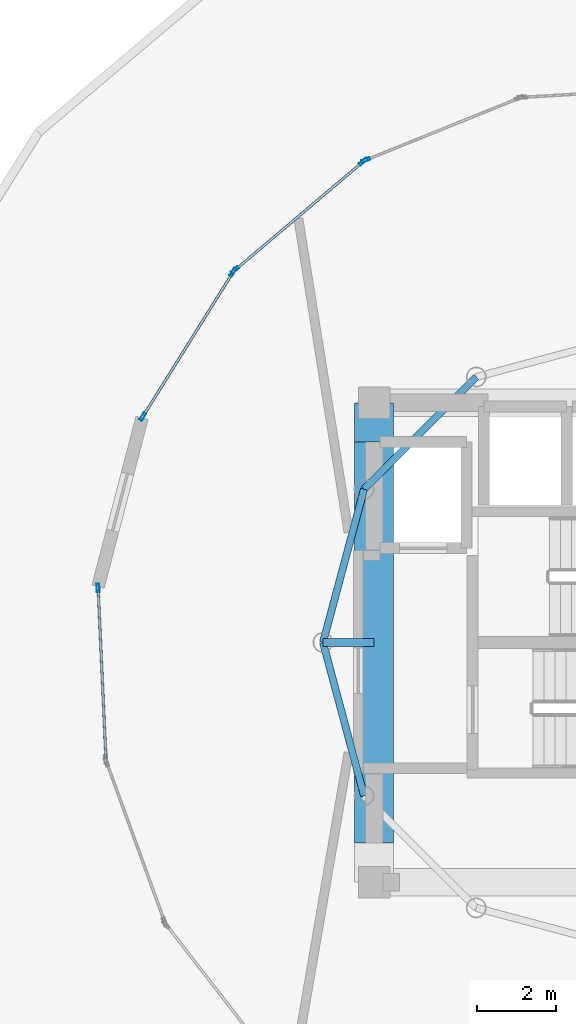
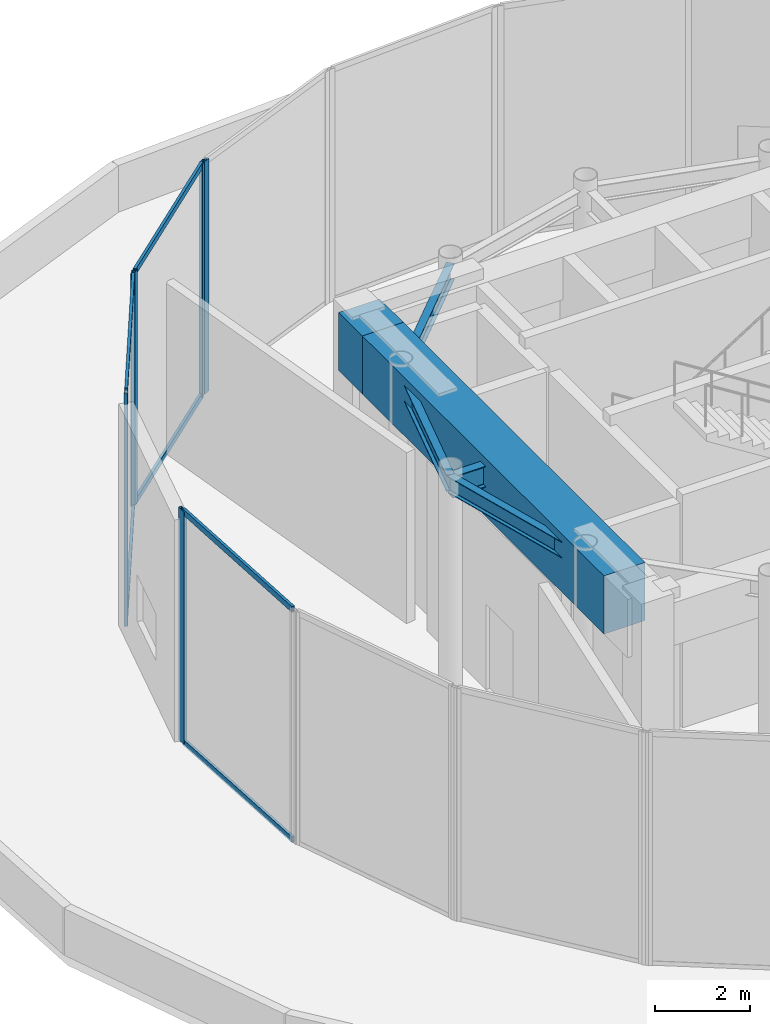
# One storey, part 5 of 12: 12 members, 6 beams, 4 elements without a shape of their own.
"""IFC4 building model written with IfcOpenShell, lengths in metres."""

from ifc_helpers import new_model, si_unit, direction, frame, origin, origin_2d, place, context, subcontext, project, spatial, rectangle, hollow_rectangle, i_section, extrude, source, transform, mapped, material, layer, layer_set, material_profile, profile_set, type_object, element, aggregate, save


model = new_model("IFC4")

# Units and contexts
model_context = context("Model", 3, precision=1e-05, world=origin(), true_north=direction((0.0, 1.0)))
body_context = subcontext(model_context, "Body", "Model", "MODEL_VIEW")
ifc_project = project(units=[si_unit("LENGTHUNIT", "METRE"), si_unit("AREAUNIT", "SQUARE_METRE"), si_unit("VOLUMEUNIT", "CUBIC_METRE"), si_unit("PLANEANGLEUNIT", "RADIAN"), si_unit("MASSUNIT", "GRAM", prefix="KILO")], contexts=[model_context])

# Site, building, storey
site_placement = place(None, origin())
site = spatial("IfcSite", under=ifc_project, at=site_placement, CompositionType="ELEMENT")
building_placement = place(site_placement, origin())
building = spatial("IfcBuilding", under=site, at=building_placement, Name="Solvirekh Grand Hotel", CompositionType="ELEMENT")
storey_placement = place(building_placement, frame((0.0, 0.0, 302.199951171875)))
storey = spatial("IfcBuildingStorey", under=building, at=storey_placement, Name="L78", CompositionType="ELEMENT", Elevation=302.199951171875)

# Beams
ifc_material_1 = material(Name="Steel S355", Category="steel")
ifc_material_profile_1 = material_profile(ifc_material_1, i_section(OverallWidth=0.2119140625, OverallDepth=0.5439453125, WebThickness=0.011962890625, FlangeThickness=0.01904296875, FilletRadius=0.013916015625, at=origin_2d()), Name="W530X123")
ifc_profile_set_1 = profile_set([ifc_material_profile_1], Name="Steel S355")
beam_type_1 = type_object("IfcBeamType", Name="Beam_Radial_W530H", PredefinedType="BEAM", material=ifc_profile_set_1)
beam_1_placement = place(storey_placement, frame((-6.5, 0.0, 5.447998046875), z_axis=(-1.0, 0.0, 0.0), x_axis=(0.0, -1.0, 0.0)))
element("IfcBeam", 1, at=beam_1_placement, inside=storey, type_object=beam_type_1, Name="L78 radial floor beam R07", PredefinedType="BEAM", context=body_context, shape_type="SweptSolid", body=[
    extrude(i_section(OverallWidth=0.2119140625, OverallDepth=0.5439453125, WebThickness=0.011962890625, FlangeThickness=0.01904296875, FilletRadius=0.013916015625, at=origin_2d()), origin(), (0.0, 0.0, 1.0), 1.300048828125),
])
ifc_material_profile_2 = material_profile(ifc_material_1, i_section(OverallWidth=0.180908203125, OverallDepth=0.4169921875, WebThickness=0.010009765625, FlangeThickness=0.01611328125, FilletRadius=0.011962890625, at=origin_2d()), Name="W410X85")
ifc_profile_set_2 = profile_set([ifc_material_profile_2], Name="Steel S355")
beam_type_2 = type_object("IfcBeamType", Name="Spandrel_Ring_W410", PredefinedType="SPANDREL", material=ifc_profile_set_2)
for number, where, z_axis, x_axis, name in (
    (2, (-3.89990234375, 6.7548828125, 5.511962890625), (-0.707106781187, -0.707106781187, 0.0), (0.707106781187, -0.707106781187, 0.0), "L78 perimeter spandrel beam 5"),
    (3, (-6.7548828125, 3.89990234375, 5.511962890625), (-0.258863027773, -0.965914040095, 0.0), (0.965914040095, -0.258863027773, 0.0), "L78 perimeter spandrel beam 6"),
    (4, (-7.800048828125, 0.0, 5.511962890625), (0.258863027773, -0.965914040095, 0.0), (0.965914040095, 0.258863027773, 0.0), "L78 perimeter spandrel beam 7"),
):
    element("IfcBeam", number, at=place(storey_placement, frame(where, z_axis=z_axis, x_axis=x_axis)), inside=storey, type_object=beam_type_2, Name=name, PredefinedType="SPANDREL", context=body_context, shape_type="SweptSolid", body=[
        extrude(i_section(OverallWidth=0.180908203125, OverallDepth=0.4169921875, WebThickness=0.010009765625, FlangeThickness=0.01611328125, FilletRadius=0.011962890625, at=origin_2d()), origin(), (0.0, 0.0, 1.0), 4.03759765625),
    ])
ifc_material_2 = material(Name="Concrete C50/60", Category="concrete")
ifc_material_profile_3 = material_profile(ifc_material_2, rectangle(XDim=1.0, YDim=1.5, at=origin_2d()), Name="RC GIRDER 1000X1500")
ifc_profile_set_3 = profile_set([ifc_material_profile_3], Name="Concrete C50/60")
beam_type_3 = type_object("IfcBeamType", Name="TransferGirder_RC1500", PredefinedType="USERDEFINED", material=ifc_profile_set_3)
beam_2_placement = place(storey_placement, frame((-6.5, -5.10009765625, 5.170166015625), z_axis=(0.0, 1.0, 0.0), x_axis=(-1.0, 0.0, 0.0)))
element("IfcBeam", 5, at=beam_2_placement, inside=storey, type_object=beam_type_3, Name="L78 core step transfer beam 4B", ObjectType="TRANSFER GIRDER", PredefinedType="USERDEFINED", context=body_context, shape_type="SweptSolid", body=[
    extrude(rectangle(XDim=1.0, YDim=1.5, at=origin_2d()), origin(), (0.0, 0.0, 1.0), 10.2001953125),
])
beam_3_placement = place(storey_placement, frame((-6.5, 5.10009765625, 5.170166015625), z_axis=(0.0, 1.0, 0.0), x_axis=(-1.0, 0.0, 0.0)))
element("IfcBeam", 6, at=beam_3_placement, inside=storey, type_object=beam_type_3, Name="L78 core step transfer beam 4C", ObjectType="TRANSFER GIRDER", PredefinedType="USERDEFINED", context=body_context, shape_type="SweptSolid", body=[
    extrude(rectangle(XDim=1.0, YDim=1.5, at=origin_2d()), origin(), (0.0, 0.0, 1.0), 1.0),
])

# Curtain wall, member
ifc_material_3 = material(Name="Anodized Bronze Aluminium 6063-T6", Category="aluminium")
ifc_layer = layer(ifc_material_3, 0.219970703125)
ifc_layer_set = layer_set([ifc_layer], Name="Anodized Bronze Aluminium 6063-T6")
curtain_wall_type = type_object("IfcCurtainWallType", Name="CW_Sys6_CrownFacetedPointCW", PredefinedType="NOTDEFINED", material=ifc_layer_set)
curtain_wall_1_placement = place(storey_placement, origin())
curtain_wall_1 = element("IfcCurtainWall", 7, at=curtain_wall_1_placement, inside=storey, type_object=curtain_wall_type, Name="L78 unitised bronze-glass curtain wall CW-L78-C12", PredefinedType="NOTDEFINED")
ifc_material_profile_4 = material_profile(ifc_material_3, hollow_rectangle(XDim=0.074951171875, YDim=0.219970703125, WallThickness=0.006103515625, at=origin_2d()), Name="ALU RHS 220X75X6")
ifc_profile_set_4 = profile_set([ifc_material_profile_4], Name="Anodized Bronze Aluminium 6063-T6")
member_type_1 = type_object("IfcMemberType", Name="CWMullion_Sys6", PredefinedType="MULLION", material=ifc_profile_set_4)
shared_shape_1 = source(origin(), body_context, "Body", "SweptSolid", [
    extrude(hollow_rectangle(XDim=0.074951171875, YDim=0.219970703125, WallThickness=0.006103515625, at=origin_2d()), origin(), (0.0, 0.0, 1.0), 6.0),
])
member_1_placement = place(storey_placement, frame((-6.714111328125, 12.275146484375, 0.0), z_axis=(0.0, 0.0, 1.0), x_axis=(0.374721029061, -0.92713761135, 0.0)))
member_1 = element("IfcMember", 8, at=member_1_placement, type_object=member_type_1, Name="U06 mullion 2", PredefinedType="MULLION", context=body_context, shape_type="MappedRepresentation", body=[
    mapped(shared_shape_1, transform((0.0, 0.0, 0.0), x_axis=(1.0, 0.0, 0.0), y_axis=(0.0, 1.0, 0.0), z_axis=(0.0, 0.0, 1.0), scale=1.0)),
])
aggregate(curtain_wall_1, [member_1])

# Curtain wall, members
curtain_wall_2_placement = place(storey_placement, origin())
curtain_wall_2 = element("IfcCurtainWall", 9, at=curtain_wall_2_placement, inside=storey, type_object=curtain_wall_type, Name="L78 unitised bronze-glass curtain wall CW-L78-C13", PredefinedType="NOTDEFINED")
member_2_placement = place(storey_placement, frame((-6.777587890625, 12.23681640625, 0.0), z_axis=(0.0, 0.0, 1.0), x_axis=(0.645931936928, -0.763395004474, 0.0)))
member_2 = element("IfcMember", 10, at=member_2_placement, type_object=member_type_1, Name="U06 mullion 1", PredefinedType="MULLION", context=body_context, shape_type="MappedRepresentation", body=[
    mapped(shared_shape_1, transform((0.0, 0.0, 0.0), x_axis=(1.0, 0.0, 0.0), y_axis=(0.0, 1.0, 0.0), z_axis=(0.0, 0.0, 1.0), scale=1.0)),
])
member_3_placement = place(storey_placement, frame((-10.041259765625, 9.475341796875, 0.0), z_axis=(0.0, 0.0, 1.0), x_axis=(0.645931936928, -0.763395004474, 0.0)))
member_3 = element("IfcMember", 11, at=member_3_placement, type_object=member_type_1, Name="U06 mullion 2", PredefinedType="MULLION", context=body_context, shape_type="MappedRepresentation", body=[
    mapped(shared_shape_1, transform((0.0, 0.0, 0.0), x_axis=(1.0, 0.0, 0.0), y_axis=(0.0, 1.0, 0.0), z_axis=(0.0, 0.0, 1.0), scale=1.0)),
])

curtain_wall_3_placement = place(storey_placement, origin())
curtain_wall_3 = element("IfcCurtainWall", 12, at=curtain_wall_3_placement, inside=storey, type_object=curtain_wall_type, Name="L78 unitised bronze-glass curtain wall CW-L78-C14", PredefinedType="NOTDEFINED")
member_4_placement = place(storey_placement, frame((-10.08984375, 9.419189453125, 0.0), z_axis=(0.0, 0.0, 1.0), x_axis=(0.847934527093, -0.530100969405, 0.0)))
member_4 = element("IfcMember", 13, at=member_4_placement, type_object=member_type_1, Name="U06 mullion 1", PredefinedType="MULLION", context=body_context, shape_type="MappedRepresentation", body=[
    mapped(shared_shape_1, transform((0.0, 0.0, 0.0), x_axis=(1.0, 0.0, 0.0), y_axis=(0.0, 1.0, 0.0), z_axis=(0.0, 0.0, 1.0), scale=1.0)),
])
member_5_placement = place(storey_placement, frame((-12.385009765625, 5.747802734375, 0.0), z_axis=(0.0, 0.0, 1.0), x_axis=(0.847934527093, -0.530100969405, 0.0)))
member_5 = element("IfcMember", 14, at=member_5_placement, type_object=member_type_1, Name="U06 mullion 2", PredefinedType="MULLION", context=body_context, shape_type="MappedRepresentation", body=[
    mapped(shared_shape_1, transform((0.0, 0.0, 0.0), x_axis=(1.0, 0.0, 0.0), y_axis=(0.0, 1.0, 0.0), z_axis=(0.0, 0.0, 1.0), scale=1.0)),
])

# Curtain wall, member
curtain_wall_4_placement = place(storey_placement, origin())
curtain_wall_4 = element("IfcCurtainWall", 15, at=curtain_wall_4_placement, inside=storey, type_object=curtain_wall_type, Name="L78 unitised bronze-glass curtain wall CW-L78-C16", PredefinedType="NOTDEFINED")
member_6_placement = place(storey_placement, frame((-13.523193359375, 1.384521484375, 0.0), z_axis=(0.0, 0.0, 1.0), x_axis=(0.998953621923, 0.045734683194, 0.0)))
member_6 = element("IfcMember", 16, at=member_6_placement, type_object=member_type_1, Name="U06 mullion 1", PredefinedType="MULLION", context=body_context, shape_type="MappedRepresentation", body=[
    mapped(shared_shape_1, transform((0.0, 0.0, 0.0), x_axis=(1.0, 0.0, 0.0), y_axis=(0.0, 1.0, 0.0), z_axis=(0.0, 0.0, 1.0), scale=1.0)),
])

# Member
ifc_material_profile_5 = material_profile(ifc_material_3, hollow_rectangle(XDim=0.06494140625, YDim=0.14990234375, WallThickness=0.0048828125, at=origin_2d()), Name="ALU RHS 150X65X5")
ifc_profile_set_5 = profile_set([ifc_material_profile_5], Name="Anodized Bronze Aluminium 6063-T6")
member_type_2 = type_object("IfcMemberType", Name="CWTransom_Sys6", PredefinedType="USERDEFINED", material=ifc_profile_set_5)
shared_shape_2 = source(origin(), body_context, "Body", "SweptSolid", [
    extrude(hollow_rectangle(XDim=0.06494140625, YDim=0.14990234375, WallThickness=0.0048828125, at=origin_2d()), origin(), (0.0, 0.0, 1.0), 4.200439453125),
])
member_7_placement = place(storey_placement, frame((-6.80615234375, 12.212646484375, 0.032470703125), z_axis=(-0.763397308727, -0.645929213635, 0.0), x_axis=(0.645929213635, -0.763397308727, 0.0)))
member_7 = element("IfcMember", 17, at=member_7_placement, type_object=member_type_2, Name="U06 transom 1.1", ObjectType="TRANSOM", PredefinedType="USERDEFINED", context=body_context, shape_type="MappedRepresentation", body=[
    mapped(shared_shape_2, transform((0.0, 0.0, 0.0), x_axis=(1.0, 0.0, 0.0), y_axis=(0.0, 1.0, 0.0), z_axis=(0.0, 0.0, 1.0), scale=1.0)),
])

member_8_placement = place(storey_placement, frame((-6.80615234375, 12.212646484375, 5.967529296875), z_axis=(-0.763397308727, -0.645929213635, 0.0), x_axis=(0.645929213635, -0.763397308727, 0.0)))
member_8 = element("IfcMember", 18, at=member_8_placement, type_object=member_type_2, Name="U06 transom 1.2", ObjectType="TRANSOM", PredefinedType="USERDEFINED", context=body_context, shape_type="MappedRepresentation", body=[
    mapped(shared_shape_2, transform((0.0, 0.0, 0.0), x_axis=(1.0, 0.0, 0.0), y_axis=(0.0, 1.0, 0.0), z_axis=(0.0, 0.0, 1.0), scale=1.0)),
])

aggregate(curtain_wall_2, [member_2, member_3, member_7, member_8])

shared_shape_3 = source(origin(), body_context, "Body", "SweptSolid", [
    extrude(hollow_rectangle(XDim=0.06494140625, YDim=0.14990234375, WallThickness=0.0048828125, at=origin_2d()), origin(), (0.0, 0.0, 1.0), 4.2548828125),
])
member_9_placement = place(storey_placement, frame((-10.10986328125, 9.387451171875, 0.032470703125), z_axis=(-0.5300711459, -0.847953171044, 0.0), x_axis=(0.847953171044, -0.5300711459, 0.0)))
member_9 = element("IfcMember", 19, at=member_9_placement, type_object=member_type_2, Name="U06 transom 1.1", ObjectType="TRANSOM", PredefinedType="USERDEFINED", context=body_context, shape_type="MappedRepresentation", body=[
    mapped(shared_shape_3, transform((0.0, 0.0, 0.0), x_axis=(1.0, 0.0, 0.0), y_axis=(0.0, 1.0, 0.0), z_axis=(0.0, 0.0, 1.0), scale=1.0)),
])

member_10_placement = place(storey_placement, frame((-10.10986328125, 9.387451171875, 5.967529296875), z_axis=(-0.5300711459, -0.847953171044, 0.0), x_axis=(0.847953171044, -0.5300711459, 0.0)))
member_10 = element("IfcMember", 20, at=member_10_placement, type_object=member_type_2, Name="U06 transom 1.2", ObjectType="TRANSOM", PredefinedType="USERDEFINED", context=body_context, shape_type="MappedRepresentation", body=[
    mapped(shared_shape_3, transform((0.0, 0.0, 0.0), x_axis=(1.0, 0.0, 0.0), y_axis=(0.0, 1.0, 0.0), z_axis=(0.0, 0.0, 1.0), scale=1.0)),
])

aggregate(curtain_wall_3, [member_4, member_5, member_9, member_10])

shared_shape_4 = source(origin(), body_context, "Body", "SweptSolid", [
    extrude(hollow_rectangle(XDim=0.06494140625, YDim=0.14990234375, WallThickness=0.0048828125, at=origin_2d()), origin(), (0.0, 0.0, 1.0), 4.28857421875),
])
member_11_placement = place(storey_placement, frame((-13.521484375, 1.34716796875, 0.032470703125), z_axis=(0.045712364868, -0.998954643464, 0.0), x_axis=(0.998954643464, 0.045712364868, 0.0)))
member_11 = element("IfcMember", 21, at=member_11_placement, type_object=member_type_2, Name="U06 transom 1.1", ObjectType="TRANSOM", PredefinedType="USERDEFINED", context=body_context, shape_type="MappedRepresentation", body=[
    mapped(shared_shape_4, transform((0.0, 0.0, 0.0), x_axis=(1.0, 0.0, 0.0), y_axis=(0.0, 1.0, 0.0), z_axis=(0.0, 0.0, 1.0), scale=1.0)),
])

member_12_placement = place(storey_placement, frame((-13.521484375, 1.34716796875, 5.967529296875), z_axis=(0.045712364868, -0.998954643464, 0.0), x_axis=(0.998954643464, 0.045712364868, 0.0)))
member_12 = element("IfcMember", 22, at=member_12_placement, type_object=member_type_2, Name="U06 transom 1.2", ObjectType="TRANSOM", PredefinedType="USERDEFINED", context=body_context, shape_type="MappedRepresentation", body=[
    mapped(shared_shape_4, transform((0.0, 0.0, 0.0), x_axis=(1.0, 0.0, 0.0), y_axis=(0.0, 1.0, 0.0), z_axis=(0.0, 0.0, 1.0), scale=1.0)),
])

aggregate(curtain_wall_4, [member_6, member_11, member_12])

save(model, "model.ifc")
